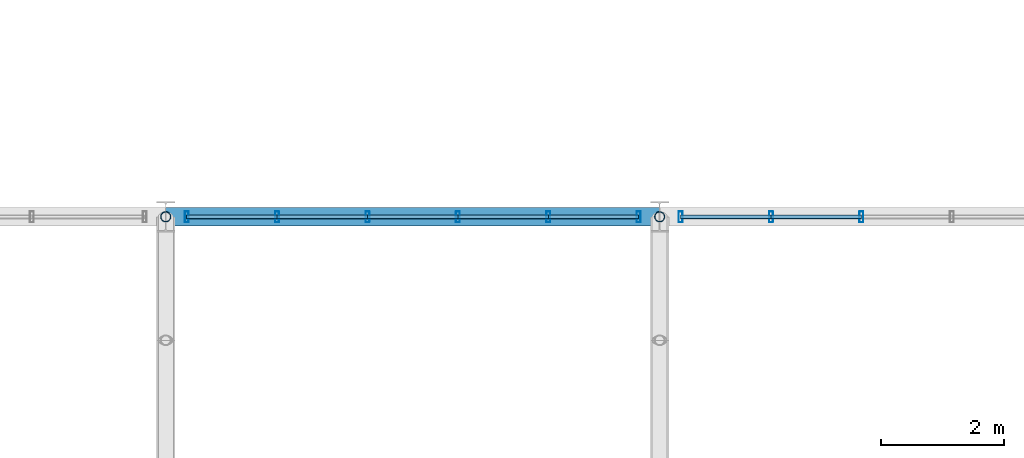
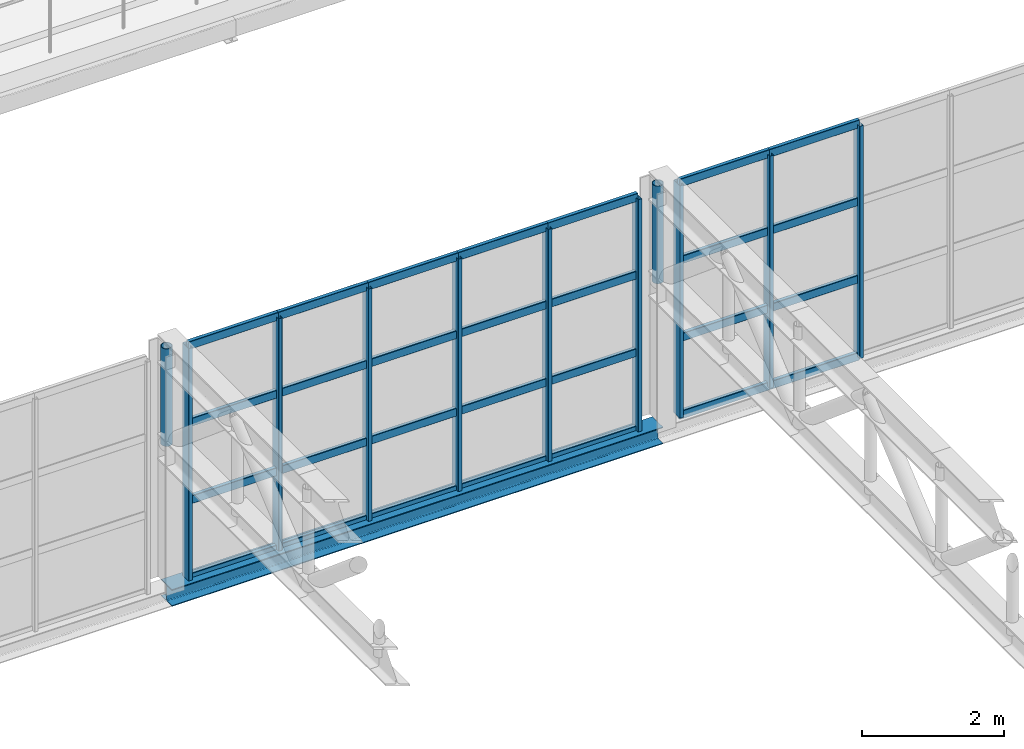
# One storey, part 36 of 67: 39 members, 1 beam, 2 elements without a shape of their own.
"""IFC4 building model written with IfcOpenShell, lengths in metres."""

from ifc_helpers import new_model, si_unit, derived_unit, direction, frame, origin, origin_2d, place, context, subcontext, project, spatial, hollow_rectangle, hollow_circle, i_section, extrude, material, material_profile, profile_set, type_object, element, aggregate, save


model = new_model("IFC4")

# Units and contexts
model_context = context("Model", 3, precision=1e-05, world=origin(), true_north=direction((0.0, 1.0)))
body_context = subcontext(model_context, "Body", "Model", "MODEL_VIEW")
ifc_project = project(units=[si_unit("LENGTHUNIT", "METRE"), si_unit("AREAUNIT", "SQUARE_METRE"), si_unit("VOLUMEUNIT", "CUBIC_METRE"), si_unit("PLANEANGLEUNIT", "RADIAN"), si_unit("MASSUNIT", "GRAM", prefix="KILO"), derived_unit("THERMALTRANSMITTANCEUNIT", [(si_unit("POWERUNIT", "WATT"), 1), (si_unit("LENGTHUNIT", "METRE"), -2), (si_unit("THERMODYNAMICTEMPERATUREUNIT", "KELVIN"), -1)])], contexts=[model_context])

# Site, building, storey
site_placement = place(None, origin())
site = spatial("IfcSite", under=ifc_project, at=site_placement, CompositionType="ELEMENT")
building_placement = place(site_placement, origin())
building = spatial("IfcBuilding", under=site, at=building_placement, Name="Keldorne Ridge Multi-Sports Centre", CompositionType="ELEMENT")
storey_placement = place(building_placement, frame((0.0, 0.0, 14.0)))
storey = spatial("IfcBuildingStorey", under=building, at=storey_placement, Name="L03", CompositionType="ELEMENT", Elevation=14.0)

# Beam
ifc_material_1 = material(Name="Steel S355", Category="steel")
ifc_material_profile_1 = material_profile(ifc_material_1, i_section(OverallWidth=0.300048828125, OverallDepth=0.2900390625, WebThickness=0.008544921875, FlangeThickness=0.013916015625, FilletRadius=0.027099609375, at=origin_2d()), Name="HEA 300")
ifc_profile_set_1 = profile_set([ifc_material_profile_1], Name="Steel S355")
beam_type = type_object("IfcBeamType", Name="BM-SP-04", PredefinedType="SPANDREL", material=ifc_profile_set_1)
beam_placement = place(storey_placement, frame((136.0, 54.0, -0.14990234375), z_axis=(1.0, 0.0, 0.0), x_axis=(0.0, 1.0, 0.0)))
element("IfcBeam", 1, at=beam_placement, inside=storey, type_object=beam_type, Name="Stacked Courts spandrel L03.54.5", PredefinedType="SPANDREL", context=body_context, shape_type="SweptSolid", body=[
    extrude(i_section(OverallWidth=0.300048828125, OverallDepth=0.2900390625, WebThickness=0.008544921875, FlangeThickness=0.013916015625, FilletRadius=0.027099609375, at=origin_2d()), origin(), (0.0, 0.0, 1.0), 8.0),
])

# Curtain wall, members
ifc_material_2 = material(Name="Anodized aluminium", Category="aluminium")
curtain_wall_type_1 = type_object("IfcCurtainWallType", Name="CW-CW-06", PredefinedType="NOTDEFINED", material=ifc_material_2)
curtain_wall_1_placement = place(storey_placement, origin())
curtain_wall_1 = element("IfcCurtainWall", 2, at=curtain_wall_1_placement, inside=storey, type_object=curtain_wall_type_1, Name="Upper Courts north clerestory 118", PredefinedType="NOTDEFINED")
ifc_material_profile_2 = material_profile(ifc_material_2, hollow_rectangle(XDim=0.06494140625, YDim=0.179931640625, WallThickness=0.00439453125, InnerFilletRadius=0.00439453125, OuterFilletRadius=0.009033203125, at=origin_2d()), Name="ALU MULLION 180x65x4.5")
ifc_profile_set_2 = profile_set([ifc_material_profile_2], Name="Anodized aluminium")
member_type_1 = type_object("IfcMemberType", Name="MEM-ML-01", PredefinedType="MULLION", material=ifc_profile_set_2)
member_1_placement = place(storey_placement, frame((143.659912109375, 54.0, 0.0), z_axis=(0.0, 0.0, 1.0), x_axis=(1.0, 0.0, 0.0)))
member_1 = element("IfcMember", 3, at=member_1_placement, type_object=member_type_1, Name="CW-118 vertical mullion 1", PredefinedType="MULLION", context=body_context, shape_type="SweptSolid", body=[
    extrude(hollow_rectangle(XDim=0.06494140625, YDim=0.179931640625, WallThickness=0.00439453125, InnerFilletRadius=0.00439453125, OuterFilletRadius=0.009033203125, at=origin_2d()), origin(), (0.0, 0.0, 1.0), 4.0),
])
member_2_placement = place(storey_placement, frame((142.196044921875, 54.0, 0.0), z_axis=(0.0, 0.0, 1.0), x_axis=(1.0, 0.0, 0.0)))
member_2 = element("IfcMember", 4, at=member_2_placement, type_object=member_type_1, Name="CW-118 vertical mullion 2", PredefinedType="MULLION", context=body_context, shape_type="SweptSolid", body=[
    extrude(hollow_rectangle(XDim=0.06494140625, YDim=0.179931640625, WallThickness=0.00439453125, InnerFilletRadius=0.00439453125, OuterFilletRadius=0.009033203125, at=origin_2d()), origin(), (0.0, 0.0, 1.0), 4.0),
])
member_3_placement = place(storey_placement, frame((140.73193359375, 54.0, 0.0), z_axis=(0.0, 0.0, 1.0), x_axis=(1.0, 0.0, 0.0)))
member_3 = element("IfcMember", 5, at=member_3_placement, type_object=member_type_1, Name="CW-118 vertical mullion 3", PredefinedType="MULLION", context=body_context, shape_type="SweptSolid", body=[
    extrude(hollow_rectangle(XDim=0.06494140625, YDim=0.179931640625, WallThickness=0.00439453125, InnerFilletRadius=0.00439453125, OuterFilletRadius=0.009033203125, at=origin_2d()), origin(), (0.0, 0.0, 1.0), 4.0),
])
member_4_placement = place(storey_placement, frame((139.26806640625, 54.0, 0.0), z_axis=(0.0, 0.0, 1.0), x_axis=(1.0, 0.0, 0.0)))
member_4 = element("IfcMember", 6, at=member_4_placement, type_object=member_type_1, Name="CW-118 vertical mullion 4", PredefinedType="MULLION", context=body_context, shape_type="SweptSolid", body=[
    extrude(hollow_rectangle(XDim=0.06494140625, YDim=0.179931640625, WallThickness=0.00439453125, InnerFilletRadius=0.00439453125, OuterFilletRadius=0.009033203125, at=origin_2d()), origin(), (0.0, 0.0, 1.0), 4.0),
])
member_5_placement = place(storey_placement, frame((137.803955078125, 54.0, 0.0), z_axis=(0.0, 0.0, 1.0), x_axis=(1.0, 0.0, 0.0)))
member_5 = element("IfcMember", 7, at=member_5_placement, type_object=member_type_1, Name="CW-118 vertical mullion 5", PredefinedType="MULLION", context=body_context, shape_type="SweptSolid", body=[
    extrude(hollow_rectangle(XDim=0.06494140625, YDim=0.179931640625, WallThickness=0.00439453125, InnerFilletRadius=0.00439453125, OuterFilletRadius=0.009033203125, at=origin_2d()), origin(), (0.0, 0.0, 1.0), 4.0),
])
member_6_placement = place(storey_placement, frame((136.340087890625, 54.0, 0.0), z_axis=(0.0, 0.0, 1.0), x_axis=(1.0, 0.0, 0.0)))
member_6 = element("IfcMember", 8, at=member_6_placement, type_object=member_type_1, Name="CW-118 vertical mullion 6", PredefinedType="MULLION", context=body_context, shape_type="SweptSolid", body=[
    extrude(hollow_rectangle(XDim=0.06494140625, YDim=0.179931640625, WallThickness=0.00439453125, InnerFilletRadius=0.00439453125, OuterFilletRadius=0.009033203125, at=origin_2d()), origin(), (0.0, 0.0, 1.0), 4.0),
])

curtain_wall_type_2 = type_object("IfcCurtainWallType", Name="CW-CW-04", PredefinedType="NOTDEFINED", material=ifc_material_2)
curtain_wall_2_placement = place(storey_placement, origin())
curtain_wall_2 = element("IfcCurtainWall", 9, at=curtain_wall_2_placement, inside=storey, type_object=curtain_wall_type_2, Name="Upper Courts north clerestory 124", PredefinedType="NOTDEFINED")
member_7_placement = place(storey_placement, frame((147.26806640625, 54.0, 0.0), z_axis=(0.0, 0.0, 1.0), x_axis=(1.0, 0.0, 0.0)))
member_7 = element("IfcMember", 10, at=member_7_placement, type_object=member_type_1, Name="CW-124 vertical mullion 4", PredefinedType="MULLION", context=body_context, shape_type="SweptSolid", body=[
    extrude(hollow_rectangle(XDim=0.06494140625, YDim=0.179931640625, WallThickness=0.00439453125, InnerFilletRadius=0.00439453125, OuterFilletRadius=0.009033203125, at=origin_2d()), origin(), (0.0, 0.0, 1.0), 4.0),
])
member_8_placement = place(storey_placement, frame((145.803955078125, 54.0, 0.0), z_axis=(0.0, 0.0, 1.0), x_axis=(1.0, 0.0, 0.0)))
member_8 = element("IfcMember", 11, at=member_8_placement, type_object=member_type_1, Name="CW-124 vertical mullion 5", PredefinedType="MULLION", context=body_context, shape_type="SweptSolid", body=[
    extrude(hollow_rectangle(XDim=0.06494140625, YDim=0.179931640625, WallThickness=0.00439453125, InnerFilletRadius=0.00439453125, OuterFilletRadius=0.009033203125, at=origin_2d()), origin(), (0.0, 0.0, 1.0), 4.0),
])
member_9_placement = place(storey_placement, frame((144.340087890625, 54.0, 0.0), z_axis=(0.0, 0.0, 1.0), x_axis=(1.0, 0.0, 0.0)))
member_9 = element("IfcMember", 12, at=member_9_placement, type_object=member_type_1, Name="CW-124 vertical mullion 6", PredefinedType="MULLION", context=body_context, shape_type="SweptSolid", body=[
    extrude(hollow_rectangle(XDim=0.06494140625, YDim=0.179931640625, WallThickness=0.00439453125, InnerFilletRadius=0.00439453125, OuterFilletRadius=0.009033203125, at=origin_2d()), origin(), (0.0, 0.0, 1.0), 4.0),
])

# Member
ifc_material_profile_3 = material_profile(ifc_material_2, hollow_rectangle(XDim=0.06494140625, YDim=0.139892578125, WallThickness=0.00439453125, InnerFilletRadius=0.00439453125, OuterFilletRadius=0.009033203125, at=origin_2d()), Name="ALU TRANSOM 140x65x4.5")
ifc_profile_set_3 = profile_set([ifc_material_profile_3], Name="Anodized aluminium")
member_type_2 = type_object("IfcMemberType", Name="MEM-TR-01", PredefinedType="USERDEFINED", material=ifc_profile_set_3)
member_10_placement = place(storey_placement, frame((143.659912109375, 54.0, 0.0), z_axis=(-1.0, 0.0, 0.0), x_axis=(0.0, -1.0, 0.0)))
member_10 = element("IfcMember", 13, at=member_10_placement, type_object=member_type_2, Name="CW-118 transom 1.1", ObjectType="TRANSOM", PredefinedType="USERDEFINED", context=body_context, shape_type="SweptSolid", body=[
    extrude(hollow_rectangle(XDim=0.06494140625, YDim=0.139892578125, WallThickness=0.00439453125, InnerFilletRadius=0.00439453125, OuterFilletRadius=0.009033203125, at=origin_2d()), origin(), (0.0, 0.0, 1.0), 1.4638671875),
])

member_11_placement = place(storey_placement, frame((143.659912109375, 54.0, 1.333251953125), z_axis=(-1.0, 0.0, 0.0), x_axis=(0.0, -1.0, 0.0)))
member_11 = element("IfcMember", 14, at=member_11_placement, type_object=member_type_2, Name="CW-118 transom 1.2", ObjectType="TRANSOM", PredefinedType="USERDEFINED", context=body_context, shape_type="SweptSolid", body=[
    extrude(hollow_rectangle(XDim=0.06494140625, YDim=0.139892578125, WallThickness=0.00439453125, InnerFilletRadius=0.00439453125, OuterFilletRadius=0.009033203125, at=origin_2d()), origin(), (0.0, 0.0, 1.0), 1.4638671875),
])

member_12_placement = place(storey_placement, frame((143.659912109375, 54.0, 2.666748046875), z_axis=(-1.0, 0.0, 0.0), x_axis=(0.0, -1.0, 0.0)))
member_12 = element("IfcMember", 15, at=member_12_placement, type_object=member_type_2, Name="CW-118 transom 1.3", ObjectType="TRANSOM", PredefinedType="USERDEFINED", context=body_context, shape_type="SweptSolid", body=[
    extrude(hollow_rectangle(XDim=0.06494140625, YDim=0.139892578125, WallThickness=0.00439453125, InnerFilletRadius=0.00439453125, OuterFilletRadius=0.009033203125, at=origin_2d()), origin(), (0.0, 0.0, 1.0), 1.4638671875),
])

member_13_placement = place(storey_placement, frame((143.659912109375, 54.0, 4.0), z_axis=(-1.0, 0.0, 0.0), x_axis=(0.0, -1.0, 0.0)))
member_13 = element("IfcMember", 16, at=member_13_placement, type_object=member_type_2, Name="CW-118 transom 1.4", ObjectType="TRANSOM", PredefinedType="USERDEFINED", context=body_context, shape_type="SweptSolid", body=[
    extrude(hollow_rectangle(XDim=0.06494140625, YDim=0.139892578125, WallThickness=0.00439453125, InnerFilletRadius=0.00439453125, OuterFilletRadius=0.009033203125, at=origin_2d()), origin(), (0.0, 0.0, 1.0), 1.4638671875),
])

member_14_placement = place(storey_placement, frame((142.196044921875, 54.0, 0.0), z_axis=(-1.0, 0.0, 0.0), x_axis=(0.0, -1.0, 0.0)))
member_14 = element("IfcMember", 17, at=member_14_placement, type_object=member_type_2, Name="CW-118 transom 2.1", ObjectType="TRANSOM", PredefinedType="USERDEFINED", context=body_context, shape_type="SweptSolid", body=[
    extrude(hollow_rectangle(XDim=0.06494140625, YDim=0.139892578125, WallThickness=0.00439453125, InnerFilletRadius=0.00439453125, OuterFilletRadius=0.009033203125, at=origin_2d()), origin(), (0.0, 0.0, 1.0), 1.464111328125),
])

member_15_placement = place(storey_placement, frame((142.196044921875, 54.0, 1.333251953125), z_axis=(-1.0, 0.0, 0.0), x_axis=(0.0, -1.0, 0.0)))
member_15 = element("IfcMember", 18, at=member_15_placement, type_object=member_type_2, Name="CW-118 transom 2.2", ObjectType="TRANSOM", PredefinedType="USERDEFINED", context=body_context, shape_type="SweptSolid", body=[
    extrude(hollow_rectangle(XDim=0.06494140625, YDim=0.139892578125, WallThickness=0.00439453125, InnerFilletRadius=0.00439453125, OuterFilletRadius=0.009033203125, at=origin_2d()), origin(), (0.0, 0.0, 1.0), 1.464111328125),
])

member_16_placement = place(storey_placement, frame((142.196044921875, 54.0, 2.666748046875), z_axis=(-1.0, 0.0, 0.0), x_axis=(0.0, -1.0, 0.0)))
member_16 = element("IfcMember", 19, at=member_16_placement, type_object=member_type_2, Name="CW-118 transom 2.3", ObjectType="TRANSOM", PredefinedType="USERDEFINED", context=body_context, shape_type="SweptSolid", body=[
    extrude(hollow_rectangle(XDim=0.06494140625, YDim=0.139892578125, WallThickness=0.00439453125, InnerFilletRadius=0.00439453125, OuterFilletRadius=0.009033203125, at=origin_2d()), origin(), (0.0, 0.0, 1.0), 1.464111328125),
])

member_17_placement = place(storey_placement, frame((142.196044921875, 54.0, 4.0), z_axis=(-1.0, 0.0, 0.0), x_axis=(0.0, -1.0, 0.0)))
member_17 = element("IfcMember", 20, at=member_17_placement, type_object=member_type_2, Name="CW-118 transom 2.4", ObjectType="TRANSOM", PredefinedType="USERDEFINED", context=body_context, shape_type="SweptSolid", body=[
    extrude(hollow_rectangle(XDim=0.06494140625, YDim=0.139892578125, WallThickness=0.00439453125, InnerFilletRadius=0.00439453125, OuterFilletRadius=0.009033203125, at=origin_2d()), origin(), (0.0, 0.0, 1.0), 1.464111328125),
])

member_18_placement = place(storey_placement, frame((140.73193359375, 54.0, 0.0), z_axis=(-1.0, 0.0, 0.0), x_axis=(0.0, -1.0, 0.0)))
member_18 = element("IfcMember", 21, at=member_18_placement, type_object=member_type_2, Name="CW-118 transom 3.1", ObjectType="TRANSOM", PredefinedType="USERDEFINED", context=body_context, shape_type="SweptSolid", body=[
    extrude(hollow_rectangle(XDim=0.06494140625, YDim=0.139892578125, WallThickness=0.00439453125, InnerFilletRadius=0.00439453125, OuterFilletRadius=0.009033203125, at=origin_2d()), origin(), (0.0, 0.0, 1.0), 1.4638671875),
])

member_19_placement = place(storey_placement, frame((140.73193359375, 54.0, 1.333251953125), z_axis=(-1.0, 0.0, 0.0), x_axis=(0.0, -1.0, 0.0)))
member_19 = element("IfcMember", 22, at=member_19_placement, type_object=member_type_2, Name="CW-118 transom 3.2", ObjectType="TRANSOM", PredefinedType="USERDEFINED", context=body_context, shape_type="SweptSolid", body=[
    extrude(hollow_rectangle(XDim=0.06494140625, YDim=0.139892578125, WallThickness=0.00439453125, InnerFilletRadius=0.00439453125, OuterFilletRadius=0.009033203125, at=origin_2d()), origin(), (0.0, 0.0, 1.0), 1.4638671875),
])

member_20_placement = place(storey_placement, frame((140.73193359375, 54.0, 2.666748046875), z_axis=(-1.0, 0.0, 0.0), x_axis=(0.0, -1.0, 0.0)))
member_20 = element("IfcMember", 23, at=member_20_placement, type_object=member_type_2, Name="CW-118 transom 3.3", ObjectType="TRANSOM", PredefinedType="USERDEFINED", context=body_context, shape_type="SweptSolid", body=[
    extrude(hollow_rectangle(XDim=0.06494140625, YDim=0.139892578125, WallThickness=0.00439453125, InnerFilletRadius=0.00439453125, OuterFilletRadius=0.009033203125, at=origin_2d()), origin(), (0.0, 0.0, 1.0), 1.4638671875),
])

member_21_placement = place(storey_placement, frame((140.73193359375, 54.0, 4.0), z_axis=(-1.0, 0.0, 0.0), x_axis=(0.0, -1.0, 0.0)))
member_21 = element("IfcMember", 24, at=member_21_placement, type_object=member_type_2, Name="CW-118 transom 3.4", ObjectType="TRANSOM", PredefinedType="USERDEFINED", context=body_context, shape_type="SweptSolid", body=[
    extrude(hollow_rectangle(XDim=0.06494140625, YDim=0.139892578125, WallThickness=0.00439453125, InnerFilletRadius=0.00439453125, OuterFilletRadius=0.009033203125, at=origin_2d()), origin(), (0.0, 0.0, 1.0), 1.4638671875),
])

member_22_placement = place(storey_placement, frame((139.26806640625, 54.0, 0.0), z_axis=(-1.0, 0.0, 0.0), x_axis=(0.0, -1.0, 0.0)))
member_22 = element("IfcMember", 25, at=member_22_placement, type_object=member_type_2, Name="CW-118 transom 4.1", ObjectType="TRANSOM", PredefinedType="USERDEFINED", context=body_context, shape_type="SweptSolid", body=[
    extrude(hollow_rectangle(XDim=0.06494140625, YDim=0.139892578125, WallThickness=0.00439453125, InnerFilletRadius=0.00439453125, OuterFilletRadius=0.009033203125, at=origin_2d()), origin(), (0.0, 0.0, 1.0), 1.464111328125),
])

member_23_placement = place(storey_placement, frame((139.26806640625, 54.0, 1.333251953125), z_axis=(-1.0, 0.0, 0.0), x_axis=(0.0, -1.0, 0.0)))
member_23 = element("IfcMember", 26, at=member_23_placement, type_object=member_type_2, Name="CW-118 transom 4.2", ObjectType="TRANSOM", PredefinedType="USERDEFINED", context=body_context, shape_type="SweptSolid", body=[
    extrude(hollow_rectangle(XDim=0.06494140625, YDim=0.139892578125, WallThickness=0.00439453125, InnerFilletRadius=0.00439453125, OuterFilletRadius=0.009033203125, at=origin_2d()), origin(), (0.0, 0.0, 1.0), 1.464111328125),
])

member_24_placement = place(storey_placement, frame((139.26806640625, 54.0, 2.666748046875), z_axis=(-1.0, 0.0, 0.0), x_axis=(0.0, -1.0, 0.0)))
member_24 = element("IfcMember", 27, at=member_24_placement, type_object=member_type_2, Name="CW-118 transom 4.3", ObjectType="TRANSOM", PredefinedType="USERDEFINED", context=body_context, shape_type="SweptSolid", body=[
    extrude(hollow_rectangle(XDim=0.06494140625, YDim=0.139892578125, WallThickness=0.00439453125, InnerFilletRadius=0.00439453125, OuterFilletRadius=0.009033203125, at=origin_2d()), origin(), (0.0, 0.0, 1.0), 1.464111328125),
])

member_25_placement = place(storey_placement, frame((139.26806640625, 54.0, 4.0), z_axis=(-1.0, 0.0, 0.0), x_axis=(0.0, -1.0, 0.0)))
member_25 = element("IfcMember", 28, at=member_25_placement, type_object=member_type_2, Name="CW-118 transom 4.4", ObjectType="TRANSOM", PredefinedType="USERDEFINED", context=body_context, shape_type="SweptSolid", body=[
    extrude(hollow_rectangle(XDim=0.06494140625, YDim=0.139892578125, WallThickness=0.00439453125, InnerFilletRadius=0.00439453125, OuterFilletRadius=0.009033203125, at=origin_2d()), origin(), (0.0, 0.0, 1.0), 1.464111328125),
])

member_26_placement = place(storey_placement, frame((137.803955078125, 54.0, 0.0), z_axis=(-1.0, 0.0, 0.0), x_axis=(0.0, -1.0, 0.0)))
member_26 = element("IfcMember", 29, at=member_26_placement, type_object=member_type_2, Name="CW-118 transom 5.1", ObjectType="TRANSOM", PredefinedType="USERDEFINED", context=body_context, shape_type="SweptSolid", body=[
    extrude(hollow_rectangle(XDim=0.06494140625, YDim=0.139892578125, WallThickness=0.00439453125, InnerFilletRadius=0.00439453125, OuterFilletRadius=0.009033203125, at=origin_2d()), origin(), (0.0, 0.0, 1.0), 1.4638671875),
])

member_27_placement = place(storey_placement, frame((137.803955078125, 54.0, 1.333251953125), z_axis=(-1.0, 0.0, 0.0), x_axis=(0.0, -1.0, 0.0)))
member_27 = element("IfcMember", 30, at=member_27_placement, type_object=member_type_2, Name="CW-118 transom 5.2", ObjectType="TRANSOM", PredefinedType="USERDEFINED", context=body_context, shape_type="SweptSolid", body=[
    extrude(hollow_rectangle(XDim=0.06494140625, YDim=0.139892578125, WallThickness=0.00439453125, InnerFilletRadius=0.00439453125, OuterFilletRadius=0.009033203125, at=origin_2d()), origin(), (0.0, 0.0, 1.0), 1.4638671875),
])

member_28_placement = place(storey_placement, frame((137.803955078125, 54.0, 2.666748046875), z_axis=(-1.0, 0.0, 0.0), x_axis=(0.0, -1.0, 0.0)))
member_28 = element("IfcMember", 31, at=member_28_placement, type_object=member_type_2, Name="CW-118 transom 5.3", ObjectType="TRANSOM", PredefinedType="USERDEFINED", context=body_context, shape_type="SweptSolid", body=[
    extrude(hollow_rectangle(XDim=0.06494140625, YDim=0.139892578125, WallThickness=0.00439453125, InnerFilletRadius=0.00439453125, OuterFilletRadius=0.009033203125, at=origin_2d()), origin(), (0.0, 0.0, 1.0), 1.4638671875),
])

member_29_placement = place(storey_placement, frame((137.803955078125, 54.0, 4.0), z_axis=(-1.0, 0.0, 0.0), x_axis=(0.0, -1.0, 0.0)))
member_29 = element("IfcMember", 32, at=member_29_placement, type_object=member_type_2, Name="CW-118 transom 5.4", ObjectType="TRANSOM", PredefinedType="USERDEFINED", context=body_context, shape_type="SweptSolid", body=[
    extrude(hollow_rectangle(XDim=0.06494140625, YDim=0.139892578125, WallThickness=0.00439453125, InnerFilletRadius=0.00439453125, OuterFilletRadius=0.009033203125, at=origin_2d()), origin(), (0.0, 0.0, 1.0), 1.4638671875),
])

aggregate(curtain_wall_1, [member_1, member_2, member_3, member_4, member_5, member_6, member_10, member_11, member_12, member_13, member_14, member_15, member_16, member_17, member_18, member_19, member_20, member_21, member_22, member_23, member_24, member_25, member_26, member_27, member_28, member_29])

member_30_placement = place(storey_placement, frame((147.26806640625, 54.0, 0.0), z_axis=(-1.0, 0.0, 0.0), x_axis=(0.0, -1.0, 0.0)))
member_30 = element("IfcMember", 33, at=member_30_placement, type_object=member_type_2, Name="CW-124 transom 4.1", ObjectType="TRANSOM", PredefinedType="USERDEFINED", context=body_context, shape_type="SweptSolid", body=[
    extrude(hollow_rectangle(XDim=0.06494140625, YDim=0.139892578125, WallThickness=0.00439453125, InnerFilletRadius=0.00439453125, OuterFilletRadius=0.009033203125, at=origin_2d()), origin(), (0.0, 0.0, 1.0), 1.464111328125),
])

member_31_placement = place(storey_placement, frame((147.26806640625, 54.0, 1.333251953125), z_axis=(-1.0, 0.0, 0.0), x_axis=(0.0, -1.0, 0.0)))
member_31 = element("IfcMember", 34, at=member_31_placement, type_object=member_type_2, Name="CW-124 transom 4.2", ObjectType="TRANSOM", PredefinedType="USERDEFINED", context=body_context, shape_type="SweptSolid", body=[
    extrude(hollow_rectangle(XDim=0.06494140625, YDim=0.139892578125, WallThickness=0.00439453125, InnerFilletRadius=0.00439453125, OuterFilletRadius=0.009033203125, at=origin_2d()), origin(), (0.0, 0.0, 1.0), 1.464111328125),
])

member_32_placement = place(storey_placement, frame((147.26806640625, 54.0, 2.666748046875), z_axis=(-1.0, 0.0, 0.0), x_axis=(0.0, -1.0, 0.0)))
member_32 = element("IfcMember", 35, at=member_32_placement, type_object=member_type_2, Name="CW-124 transom 4.3", ObjectType="TRANSOM", PredefinedType="USERDEFINED", context=body_context, shape_type="SweptSolid", body=[
    extrude(hollow_rectangle(XDim=0.06494140625, YDim=0.139892578125, WallThickness=0.00439453125, InnerFilletRadius=0.00439453125, OuterFilletRadius=0.009033203125, at=origin_2d()), origin(), (0.0, 0.0, 1.0), 1.464111328125),
])

member_33_placement = place(storey_placement, frame((147.26806640625, 54.0, 4.0), z_axis=(-1.0, 0.0, 0.0), x_axis=(0.0, -1.0, 0.0)))
member_33 = element("IfcMember", 36, at=member_33_placement, type_object=member_type_2, Name="CW-124 transom 4.4", ObjectType="TRANSOM", PredefinedType="USERDEFINED", context=body_context, shape_type="SweptSolid", body=[
    extrude(hollow_rectangle(XDim=0.06494140625, YDim=0.139892578125, WallThickness=0.00439453125, InnerFilletRadius=0.00439453125, OuterFilletRadius=0.009033203125, at=origin_2d()), origin(), (0.0, 0.0, 1.0), 1.464111328125),
])

member_34_placement = place(storey_placement, frame((145.803955078125, 54.0, 0.0), z_axis=(-1.0, 0.0, 0.0), x_axis=(0.0, -1.0, 0.0)))
member_34 = element("IfcMember", 37, at=member_34_placement, type_object=member_type_2, Name="CW-124 transom 5.1", ObjectType="TRANSOM", PredefinedType="USERDEFINED", context=body_context, shape_type="SweptSolid", body=[
    extrude(hollow_rectangle(XDim=0.06494140625, YDim=0.139892578125, WallThickness=0.00439453125, InnerFilletRadius=0.00439453125, OuterFilletRadius=0.009033203125, at=origin_2d()), origin(), (0.0, 0.0, 1.0), 1.4638671875),
])

member_35_placement = place(storey_placement, frame((145.803955078125, 54.0, 1.333251953125), z_axis=(-1.0, 0.0, 0.0), x_axis=(0.0, -1.0, 0.0)))
member_35 = element("IfcMember", 38, at=member_35_placement, type_object=member_type_2, Name="CW-124 transom 5.2", ObjectType="TRANSOM", PredefinedType="USERDEFINED", context=body_context, shape_type="SweptSolid", body=[
    extrude(hollow_rectangle(XDim=0.06494140625, YDim=0.139892578125, WallThickness=0.00439453125, InnerFilletRadius=0.00439453125, OuterFilletRadius=0.009033203125, at=origin_2d()), origin(), (0.0, 0.0, 1.0), 1.4638671875),
])

member_36_placement = place(storey_placement, frame((145.803955078125, 54.0, 2.666748046875), z_axis=(-1.0, 0.0, 0.0), x_axis=(0.0, -1.0, 0.0)))
member_36 = element("IfcMember", 39, at=member_36_placement, type_object=member_type_2, Name="CW-124 transom 5.3", ObjectType="TRANSOM", PredefinedType="USERDEFINED", context=body_context, shape_type="SweptSolid", body=[
    extrude(hollow_rectangle(XDim=0.06494140625, YDim=0.139892578125, WallThickness=0.00439453125, InnerFilletRadius=0.00439453125, OuterFilletRadius=0.009033203125, at=origin_2d()), origin(), (0.0, 0.0, 1.0), 1.4638671875),
])

member_37_placement = place(storey_placement, frame((145.803955078125, 54.0, 4.0), z_axis=(-1.0, 0.0, 0.0), x_axis=(0.0, -1.0, 0.0)))
member_37 = element("IfcMember", 40, at=member_37_placement, type_object=member_type_2, Name="CW-124 transom 5.4", ObjectType="TRANSOM", PredefinedType="USERDEFINED", context=body_context, shape_type="SweptSolid", body=[
    extrude(hollow_rectangle(XDim=0.06494140625, YDim=0.139892578125, WallThickness=0.00439453125, InnerFilletRadius=0.00439453125, OuterFilletRadius=0.009033203125, at=origin_2d()), origin(), (0.0, 0.0, 1.0), 1.4638671875),
])

aggregate(curtain_wall_2, [member_7, member_8, member_9, member_30, member_31, member_32, member_33, member_34, member_35, member_36, member_37])

# Members
ifc_material_profile_4 = material_profile(ifc_material_1, hollow_circle(Radius=0.084228515625, WallThickness=0.010009765625, at=origin_2d()), Name="CHS 168.3x10")
ifc_profile_set_4 = profile_set([ifc_material_profile_4], Name="Steel S355")
member_type_3 = type_object("IfcMemberType", Name="MEM-TV-01", PredefinedType="STRUT", material=ifc_profile_set_4)
for number, where, z_axis, x_axis, name in (
    (41, (136.0, 54.0, 2.429931640625), (0.0, 0.0, 1.0), (1.0, 0.0, 0.0), "Stacked Courts Warren TRUSS WT-L04-05 end post 24"),
    (42, (144.0, 54.0, 2.429931640625), (0.0, 0.0, 1.0), (1.0, 0.0, 0.0), "Stacked Courts Warren TRUSS WT-L04-06 end post 24"),
):
    element("IfcMember", number, at=place(storey_placement, frame(where, z_axis=z_axis, x_axis=x_axis)), inside=storey, type_object=member_type_3, Name=name, PredefinedType="STRUT", context=body_context, shape_type="SweptSolid", body=[
        extrude(hollow_circle(Radius=0.084228515625, WallThickness=0.010009765625, at=origin_2d()), origin(), (0.0, 0.0, 1.0), 1.68017578125),
    ])

save(model, "model.ifc")
